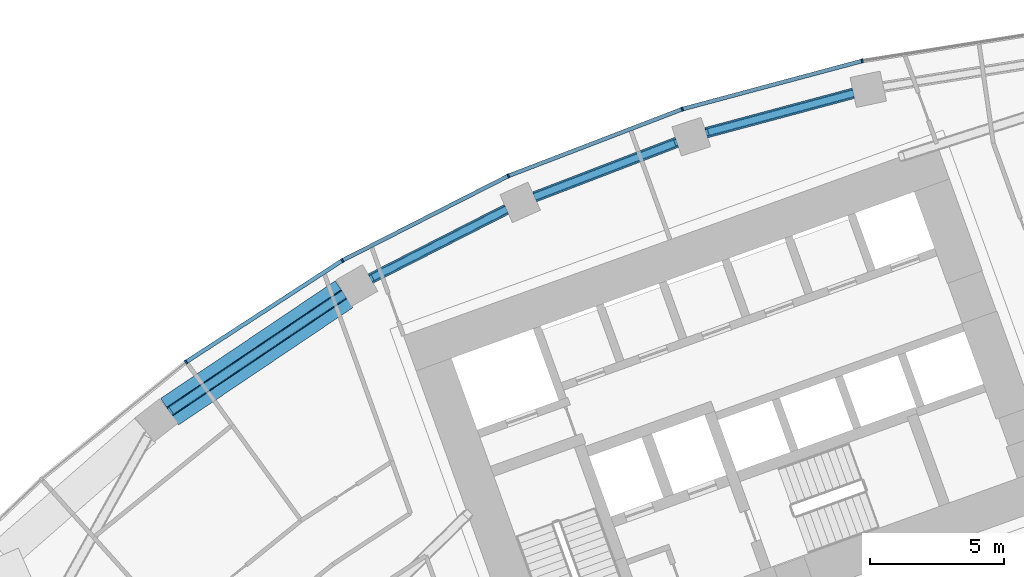
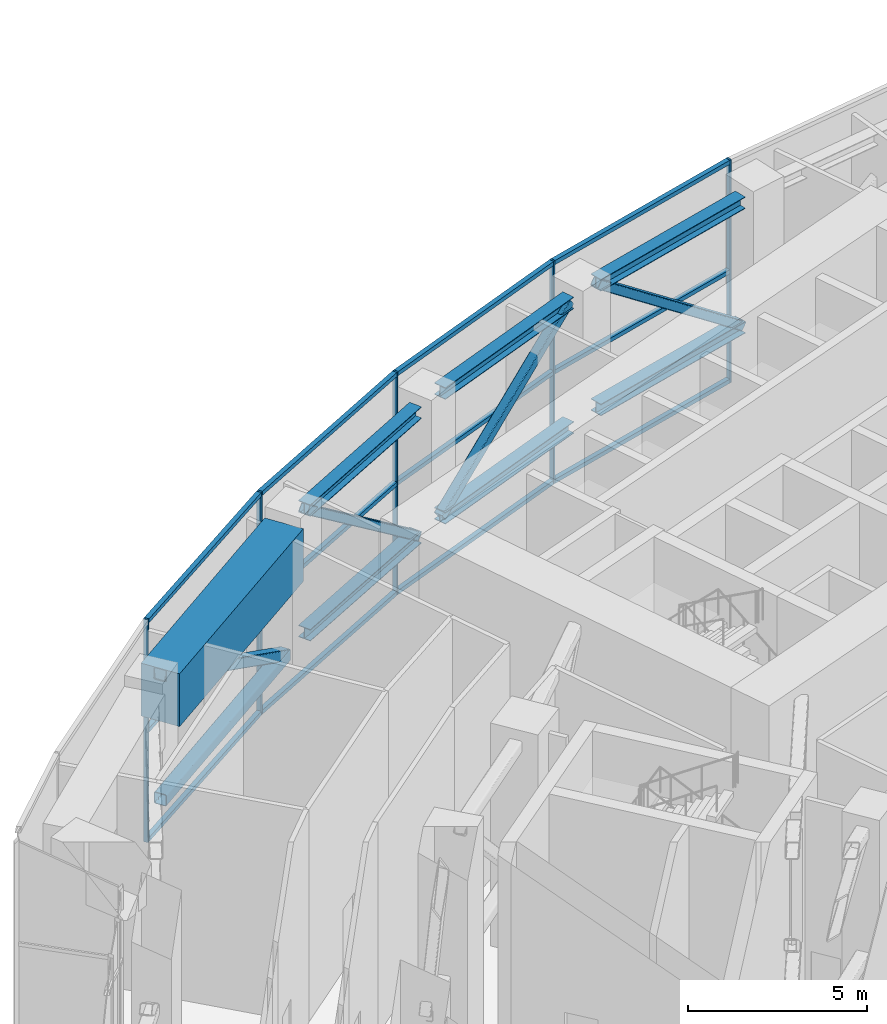
# One storey, part 7 of 30: 29 members, 1 beam, 1 element without a shape of its own.
"""IFC4 building model written with IfcOpenShell, lengths in metres."""

from ifc_helpers import new_model, si_unit, direction, frame, origin, origin_2d, place, context, subcontext, project, spatial, rectangle, hollow_rectangle, i_section, extrude, material, layer, layer_set, material_profile, profile_set, type_object, element, aggregate, save


model = new_model("IFC4")

# Units and contexts
model_context = context("Model", 3, precision=1e-05, world=origin(), true_north=direction((0.0, 1.0)))
body_context = subcontext(model_context, "Body", "Model", "MODEL_VIEW")
ifc_project = project(units=[si_unit("LENGTHUNIT", "METRE"), si_unit("AREAUNIT", "SQUARE_METRE"), si_unit("VOLUMEUNIT", "CUBIC_METRE"), si_unit("PLANEANGLEUNIT", "RADIAN"), si_unit("MASSUNIT", "GRAM", prefix="KILO")], contexts=[model_context])

# Site, building, storey
site_placement = place(None, origin())
site = spatial("IfcSite", under=ifc_project, at=site_placement, CompositionType="ELEMENT")
building_placement = place(site_placement, origin())
building = spatial("IfcBuilding", under=site, at=building_placement, Name="Stone Belt Terrace Tower", CompositionType="ELEMENT")
storey_placement = place(building_placement, frame((0.0, 0.0, 136.39990234375)))
storey = spatial("IfcBuildingStorey", under=building, at=storey_placement, Name="L33", CompositionType="ELEMENT", Elevation=136.39990234375)

# Members
ifc_material_1 = material(Name="Structural steel C345", Category="steel")
ifc_material_profile_1 = material_profile(ifc_material_1, i_section(OverallWidth=0.39990234375, OverallDepth=0.39990234375, WebThickness=0.012939453125, FlangeThickness=0.02099609375, at=origin_2d()), Name="I 40K2")
ifc_profile_set_1 = profile_set([ifc_material_profile_1], Name="Structural steel C345")
member_type_1 = type_object("IfcMemberType", Name="Belt chord I 40K2", PredefinedType="CHORD", material=ifc_profile_set_1)
for number, where, z_axis, x_axis, name in (
    (1, (-32.2314453125, 56.976318359375, 7.050048828125), (0.890993756873, 0.454015556135, 0.0), (-0.454015556135, 0.890993756873, 0.0), "Belt truss T2 ring R top chord 3"),
    (2, (-32.2314453125, 56.976318359375, 2.800048828125), (0.890993756873, 0.454015556135, 0.0), (-0.454015556135, 0.890993756873, 0.0), "Belt truss T2 ring R bot chord 3"),
):
    element("IfcMember", number, at=place(storey_placement, frame(where, z_axis=z_axis, x_axis=x_axis)), inside=storey, type_object=member_type_1, Name=name, PredefinedType="CHORD", context=body_context, shape_type="SweptSolid", body=[
        extrude(i_section(OverallWidth=0.39990234375, OverallDepth=0.39990234375, WebThickness=0.012939453125, FlangeThickness=0.02099609375, at=origin_2d()), origin(), (0.0, 0.0, 1.0), 5.703125),
    ])
for number, where, z_axis, x_axis, name in (
    (3, (-26.09912109375, 60.033447265625, 7.050048828125), (0.933575997296, 0.358379487797, 0.0), (-0.358379487797, 0.933575997296, 0.0), "Belt truss T2 ring R top chord 4"),
    (4, (-26.09912109375, 60.033447265625, 2.800048828125), (0.933575997296, 0.358379487797, 0.0), (-0.358379487797, 0.933575997296, 0.0), "Belt truss T2 ring R bot chord 4"),
):
    element("IfcMember", number, at=place(storey_placement, frame(where, z_axis=z_axis, x_axis=x_axis)), inside=storey, type_object=member_type_1, Name=name, PredefinedType="CHORD", context=body_context, shape_type="SweptSolid", body=[
        extrude(i_section(OverallWidth=0.39990234375, OverallDepth=0.39990234375, WebThickness=0.012939453125, FlangeThickness=0.02099609375, at=origin_2d()), origin(), (0.0, 0.0, 1.0), 5.703369140625),
    ])
for number, where, z_axis, x_axis, name in (
    (5, (-19.680908203125, 62.4326171875, 7.050048828125), (0.965925885985, 0.258818822313, 0.0), (-0.258818822313, 0.965925885985, 0.0), "Belt truss T2 ring R top chord 5"),
    (6, (-19.680908203125, 62.4326171875, 2.800048828125), (0.965925885985, 0.258818822313, 0.0), (-0.258818822313, 0.965925885985, 0.0), "Belt truss T2 ring R bot chord 5"),
):
    element("IfcMember", number, at=place(storey_placement, frame(where, z_axis=z_axis, x_axis=x_axis)), inside=storey, type_object=member_type_1, Name=name, PredefinedType="CHORD", context=body_context, shape_type="SweptSolid", body=[
        extrude(i_section(OverallWidth=0.39990234375, OverallDepth=0.39990234375, WebThickness=0.012939453125, FlangeThickness=0.02099609375, at=origin_2d()), origin(), (0.0, 0.0, 1.0), 5.703125),
    ])
ifc_material_profile_2 = material_profile(ifc_material_1, hollow_rectangle(XDim=0.300048828125, YDim=0.300048828125, WallThickness=0.01611328125, InnerFilletRadius=0.031982421875, OuterFilletRadius=0.048095703125, at=origin_2d()), Name="SHS 300x300x16")
ifc_profile_set_2 = profile_set([ifc_material_profile_2], Name="Structural steel C345")
member_type_2 = type_object("IfcMemberType", Name="Belt diagonal SHS 300x300x16", PredefinedType="BRACE", material=ifc_profile_set_2)
member_1_placement = place(storey_placement, frame((-32.2314453125, 56.976318359375, 7.050048828125), z_axis=(0.714440544086, 0.364050946986, -0.597529595054), x_axis=(-0.454015556135, 0.890993756873, 0.0)))
element("IfcMember", 7, at=member_1_placement, inside=storey, type_object=member_type_2, Name="Belt truss T2 ring R diagonal 3", PredefinedType="BRACE", context=body_context, shape_type="SweptSolid", body=[
    extrude(hollow_rectangle(XDim=0.300048828125, YDim=0.300048828125, WallThickness=0.01611328125, InnerFilletRadius=0.031982421875, OuterFilletRadius=0.048095703125, at=origin_2d()), origin(), (0.0, 0.0, 1.0), 7.112548828125),
])
member_2_placement = place(storey_placement, frame((-26.09912109375, 60.033447265625, 2.800048828125), z_axis=(0.748588171332, 0.287366691292, 0.597525007407), x_axis=(-0.358379487797, 0.933575997296, 0.0)))
element("IfcMember", 8, at=member_2_placement, inside=storey, type_object=member_type_2, Name="Belt truss T2 ring R diagonal 4", PredefinedType="BRACE", context=body_context, shape_type="SweptSolid", body=[
    extrude(hollow_rectangle(XDim=0.300048828125, YDim=0.300048828125, WallThickness=0.01611328125, InnerFilletRadius=0.031982421875, OuterFilletRadius=0.048095703125, at=origin_2d()), origin(), (0.0, 0.0, 1.0), 7.11279296875),
])
member_3_placement = place(storey_placement, frame((-19.680908203125, 62.4326171875, 7.050048828125), z_axis=(0.774519158239, 0.207531591505, -0.597537205576), x_axis=(-0.258818822313, 0.965925885985, 0.0)))
element("IfcMember", 9, at=member_3_placement, inside=storey, type_object=member_type_2, Name="Belt truss T2 ring R diagonal 5", PredefinedType="BRACE", context=body_context, shape_type="SweptSolid", body=[
    extrude(hollow_rectangle(XDim=0.300048828125, YDim=0.300048828125, WallThickness=0.01611328125, InnerFilletRadius=0.031982421875, OuterFilletRadius=0.048095703125, at=origin_2d()), origin(), (0.0, 0.0, 1.0), 7.112548828125),
])

# Curtain wall, members
ifc_material_2 = material(Name="Aluminium 6063-T6 anodised frame", Category="aluminium")
ifc_layer = layer(ifc_material_2, 0.14990234375)
ifc_layer_set = layer_set([ifc_layer], Name="CW-A unitised convex-face curtain wall")
curtain_wall_type = type_object("IfcCurtainWallType", Name="CW-A unitised convex-face curtain wall", PredefinedType="NOTDEFINED", material=ifc_layer_set)
curtain_wall_placement = place(storey_placement, origin())
curtain_wall = element("IfcCurtainWall", 10, at=curtain_wall_placement, inside=storey, type_object=curtain_wall_type, Name="CW-A convex face L33", PredefinedType="NOTDEFINED")
ifc_material_profile_3 = material_profile(ifc_material_2, rectangle(XDim=0.14990234375, YDim=0.06005859375, at=origin_2d()), Name="Aluminium 6063-T6 60x150")
ifc_profile_set_3 = profile_set([ifc_material_profile_3], Name="Aluminium 6063-T6 anodised frame")
member_type_3 = type_object("IfcMemberType", Name="CW-A mullion 60 x 150", PredefinedType="MULLION", material=ifc_profile_set_3)
member_4_placement = place(storey_placement, frame((-13.841796875, 65.120361328125, 0.0), z_axis=(0.0, 0.0, 1.0), x_axis=(0.207911690818, -0.978147600734, 0.0)))
member_4 = element("IfcMember", 11, at=member_4_placement, type_object=member_type_3, Name="CW-A mullion 12", PredefinedType="MULLION", context=body_context, shape_type="SweptSolid", body=[
    extrude(rectangle(XDim=0.14990234375, YDim=0.06005859375, at=origin_2d()), origin(), (0.0, 0.0, 1.0), 7.60009765625),
])
member_5_placement = place(storey_placement, frame((-20.57275390625, 63.316650390625, 0.0), z_axis=(0.0, 0.0, 1.0), x_axis=(0.309016994375, -0.951056516295, 0.0)))
member_5 = element("IfcMember", 12, at=member_5_placement, type_object=member_type_3, Name="CW-A mullion 13", PredefinedType="MULLION", context=body_context, shape_type="SweptSolid", body=[
    extrude(rectangle(XDim=0.14990234375, YDim=0.06005859375, at=origin_2d()), origin(), (0.0, 0.0, 1.0), 7.60009765625),
])
member_6_placement = place(storey_placement, frame((-27.07861328125, 60.8193359375, 0.0), z_axis=(0.0, 0.0, 1.0), x_axis=(0.406736643076, -0.913545457643, 0.0)))
member_6 = element("IfcMember", 13, at=member_6_placement, type_object=member_type_3, Name="CW-A mullion 14", PredefinedType="MULLION", context=body_context, shape_type="SweptSolid", body=[
    extrude(rectangle(XDim=0.14990234375, YDim=0.06005859375, at=origin_2d()), origin(), (0.0, 0.0, 1.0), 7.60009765625),
])
member_7_placement = place(storey_placement, frame((-33.28759765625, 57.65576171875, 0.0), z_axis=(0.0, 0.0, 1.0), x_axis=(0.5, -0.866025403784, 0.0)))
member_7 = element("IfcMember", 14, at=member_7_placement, type_object=member_type_3, Name="CW-A mullion 15", PredefinedType="MULLION", context=body_context, shape_type="SweptSolid", body=[
    extrude(rectangle(XDim=0.14990234375, YDim=0.06005859375, at=origin_2d()), origin(), (0.0, 0.0, 1.0), 7.60009765625),
])
member_8_placement = place(storey_placement, frame((-39.1318359375, 53.8603515625, 0.0), z_axis=(0.0, 0.0, 1.0), x_axis=(0.587785252292, -0.809016994375, 0.0)))
member_8 = element("IfcMember", 15, at=member_8_placement, type_object=member_type_3, Name="CW-A mullion 16", PredefinedType="MULLION", context=body_context, shape_type="SweptSolid", body=[
    extrude(rectangle(XDim=0.14990234375, YDim=0.06005859375, at=origin_2d()), origin(), (0.0, 0.0, 1.0), 7.60009765625),
])
ifc_material_profile_4 = material_profile(ifc_material_2, rectangle(XDim=0.14990234375, YDim=0.139892578125, at=origin_2d()), Name="Aluminium 6063-T6 150x140")
ifc_profile_set_4 = profile_set([ifc_material_profile_4], Name="Aluminium 6063-T6 anodised frame")
member_type_4 = type_object("IfcMemberType", Name="CW-A transom 140 x 150", PredefinedType="USERDEFINED", material=ifc_profile_set_4)
member_9_placement = place(storey_placement, frame((-13.87451171875, 65.111572265625, 0.070068359375), z_axis=(-0.965921835863, -0.258833937117, 0.0), x_axis=(0.258833937117, -0.965921835863, 0.0)))
member_9 = element("IfcMember", 16, at=member_9_placement, type_object=member_type_4, Name="CW-A transom 12.1", ObjectType="TRANSOM", PredefinedType="USERDEFINED", context=body_context, shape_type="SweptSolid", body=[
    extrude(rectangle(XDim=0.14990234375, YDim=0.139892578125, at=origin_2d()), origin(), (0.0, 0.0, 1.0), 6.900634765625),
])
member_10_placement = place(storey_placement, frame((-13.87451171875, 65.111572265625, 3.800048828125), z_axis=(-0.965921835863, -0.258833937117, 0.0), x_axis=(0.258833937117, -0.965921835863, 0.0)))
member_10 = element("IfcMember", 17, at=member_10_placement, type_object=member_type_4, Name="CW-A transom 12.2", ObjectType="TRANSOM", PredefinedType="USERDEFINED", context=body_context, shape_type="SweptSolid", body=[
    extrude(rectangle(XDim=0.14990234375, YDim=0.139892578125, at=origin_2d()), origin(), (0.0, 0.0, 1.0), 6.900634765625),
])
member_11_placement = place(storey_placement, frame((-13.87451171875, 65.111572265625, 7.530029296875), z_axis=(-0.965921835863, -0.258833937117, 0.0), x_axis=(0.258833937117, -0.965921835863, 0.0)))
member_11 = element("IfcMember", 18, at=member_11_placement, type_object=member_type_4, Name="CW-A transom 12.3", ObjectType="TRANSOM", PredefinedType="USERDEFINED", context=body_context, shape_type="SweptSolid", body=[
    extrude(rectangle(XDim=0.14990234375, YDim=0.139892578125, at=origin_2d()), origin(), (0.0, 0.0, 1.0), 6.900634765625),
])
member_12_placement = place(storey_placement, frame((-20.6044921875, 63.304443359375, 0.070068359375), z_axis=(-0.933585210269, -0.358355487146, 0.0), x_axis=(0.358355487146, -0.933585210269, 0.0)))
member_12 = element("IfcMember", 19, at=member_12_placement, type_object=member_type_4, Name="CW-A transom 13.1", ObjectType="TRANSOM", PredefinedType="USERDEFINED", context=body_context, shape_type="SweptSolid", body=[
    extrude(rectangle(XDim=0.14990234375, YDim=0.139892578125, at=origin_2d()), origin(), (0.0, 0.0, 1.0), 6.900634765625),
])
member_13_placement = place(storey_placement, frame((-20.6044921875, 63.304443359375, 3.800048828125), z_axis=(-0.933585210269, -0.358355487146, 0.0), x_axis=(0.358355487146, -0.933585210269, 0.0)))
member_13 = element("IfcMember", 20, at=member_13_placement, type_object=member_type_4, Name="CW-A transom 13.2", ObjectType="TRANSOM", PredefinedType="USERDEFINED", context=body_context, shape_type="SweptSolid", body=[
    extrude(rectangle(XDim=0.14990234375, YDim=0.139892578125, at=origin_2d()), origin(), (0.0, 0.0, 1.0), 6.900634765625),
])
member_14_placement = place(storey_placement, frame((-20.6044921875, 63.304443359375, 7.530029296875), z_axis=(-0.933585210269, -0.358355487146, 0.0), x_axis=(0.358355487146, -0.933585210269, 0.0)))
member_14 = element("IfcMember", 21, at=member_14_placement, type_object=member_type_4, Name="CW-A transom 13.3", ObjectType="TRANSOM", PredefinedType="USERDEFINED", context=body_context, shape_type="SweptSolid", body=[
    extrude(rectangle(XDim=0.14990234375, YDim=0.139892578125, at=origin_2d()), origin(), (0.0, 0.0, 1.0), 6.900634765625),
])
member_15_placement = place(storey_placement, frame((-27.108642578125, 60.803955078125, 0.070068359375), z_axis=(-0.891012226264, -0.453979308613, 0.0), x_axis=(0.453979308613, -0.891012226264, 0.0)))
member_15 = element("IfcMember", 22, at=member_15_placement, type_object=member_type_4, Name="CW-A transom 14.1", ObjectType="TRANSOM", PredefinedType="USERDEFINED", context=body_context, shape_type="SweptSolid", body=[
    extrude(rectangle(XDim=0.14990234375, YDim=0.139892578125, at=origin_2d()), origin(), (0.0, 0.0, 1.0), 6.90087890625),
])
member_16_placement = place(storey_placement, frame((-27.108642578125, 60.803955078125, 3.800048828125), z_axis=(-0.891012226264, -0.453979308613, 0.0), x_axis=(0.453979308613, -0.891012226264, 0.0)))
member_16 = element("IfcMember", 23, at=member_16_placement, type_object=member_type_4, Name="CW-A transom 14.2", ObjectType="TRANSOM", PredefinedType="USERDEFINED", context=body_context, shape_type="SweptSolid", body=[
    extrude(rectangle(XDim=0.14990234375, YDim=0.139892578125, at=origin_2d()), origin(), (0.0, 0.0, 1.0), 6.90087890625),
])
member_17_placement = place(storey_placement, frame((-27.108642578125, 60.803955078125, 7.530029296875), z_axis=(-0.891012226264, -0.453979308613, 0.0), x_axis=(0.453979308613, -0.891012226264, 0.0)))
member_17 = element("IfcMember", 24, at=member_17_placement, type_object=member_type_4, Name="CW-A transom 14.3", ObjectType="TRANSOM", PredefinedType="USERDEFINED", context=body_context, shape_type="SweptSolid", body=[
    extrude(rectangle(XDim=0.14990234375, YDim=0.139892578125, at=origin_2d()), origin(), (0.0, 0.0, 1.0), 6.90087890625),
])
member_18_placement = place(storey_placement, frame((-33.31591796875, 57.63720703125, 0.070068359375), z_axis=(-0.83868440714, -0.544617723931, 0.0), x_axis=(0.544617723931, -0.83868440714, 0.0)))
member_18 = element("IfcMember", 25, at=member_18_placement, type_object=member_type_4, Name="CW-A transom 15.1", ObjectType="TRANSOM", PredefinedType="USERDEFINED", context=body_context, shape_type="SweptSolid", body=[
    extrude(rectangle(XDim=0.14990234375, YDim=0.139892578125, at=origin_2d()), origin(), (0.0, 0.0, 1.0), 6.90087890625),
])
member_19_placement = place(storey_placement, frame((-33.31591796875, 57.63720703125, 3.800048828125), z_axis=(-0.83868440714, -0.544617723931, 0.0), x_axis=(0.544617723931, -0.83868440714, 0.0)))
member_19 = element("IfcMember", 26, at=member_19_placement, type_object=member_type_4, Name="CW-A transom 15.2", ObjectType="TRANSOM", PredefinedType="USERDEFINED", context=body_context, shape_type="SweptSolid", body=[
    extrude(rectangle(XDim=0.14990234375, YDim=0.139892578125, at=origin_2d()), origin(), (0.0, 0.0, 1.0), 6.90087890625),
])
member_20_placement = place(storey_placement, frame((-33.31591796875, 57.63720703125, 7.530029296875), z_axis=(-0.83868440714, -0.544617723931, 0.0), x_axis=(0.544617723931, -0.83868440714, 0.0)))
member_20 = element("IfcMember", 27, at=member_20_placement, type_object=member_type_4, Name="CW-A transom 15.3", ObjectType="TRANSOM", PredefinedType="USERDEFINED", context=body_context, shape_type="SweptSolid", body=[
    extrude(rectangle(XDim=0.14990234375, YDim=0.139892578125, at=origin_2d()), origin(), (0.0, 0.0, 1.0), 6.90087890625),
])
aggregate(curtain_wall, [member_4, member_5, member_6, member_7, member_8, member_9, member_10, member_11, member_12, member_13, member_14, member_15, member_16, member_17, member_18, member_19, member_20])

# Members
ifc_material_profile_5 = material_profile(ifc_material_1, hollow_rectangle(XDim=0.39990234375, YDim=0.39990234375, WallThickness=0.02001953125, InnerFilletRadius=0.0400390625, OuterFilletRadius=0.06005859375, at=origin_2d()), Name="SHS 400x400x20")
ifc_profile_set_5 = profile_set([ifc_material_profile_5], Name="Structural steel C345")
member_type_5 = type_object("IfcMemberType", Name="Outrigger chord SHS 400x400x20", PredefinedType="CHORD", material=ifc_profile_set_5)
for number, where, z_axis, x_axis, name in (
    (28, (-39.7529296875, 51.996337890625, 7.050048828125), (0.829517849563, 0.558480203102, 0.0), (-0.558480203102, 0.829517849563, 0.0), "Outrigger T2 Rw top chord 3"),
    (29, (-39.7529296875, 51.996337890625, 2.800048828125), (0.829517849563, 0.558480203102, 0.0), (-0.558480203102, 0.829517849563, 0.0), "Outrigger T2 Rw bot chord 3"),
):
    element("IfcMember", number, at=place(storey_placement, frame(where, z_axis=z_axis, x_axis=x_axis)), inside=storey, type_object=member_type_5, Name=name, PredefinedType="CHORD", context=body_context, shape_type="SweptSolid", body=[
        extrude(hollow_rectangle(XDim=0.39990234375, YDim=0.39990234375, WallThickness=0.02001953125, InnerFilletRadius=0.0400390625, OuterFilletRadius=0.06005859375, at=origin_2d()), origin(), (0.0, 0.0, 1.0), 7.87255859375),
    ])
ifc_material_profile_6 = material_profile(ifc_material_1, hollow_rectangle(XDim=0.35009765625, YDim=0.35009765625, WallThickness=0.01611328125, InnerFilletRadius=0.031982421875, OuterFilletRadius=0.048095703125, at=origin_2d()), Name="SHS 350x350x16")
ifc_profile_set_6 = profile_set([ifc_material_profile_6], Name="Structural steel C345")
member_type_6 = type_object("IfcMemberType", Name="Outrigger diagonal SHS 350x350x16", PredefinedType="BRACE", material=ifc_profile_set_6)
member_21_placement = place(storey_placement, frame((-39.7529296875, 51.996337890625, 7.050048828125), z_axis=(0.729945297208, 0.491442104655, -0.47504159908), x_axis=(-0.558480203102, 0.829517849563, 0.0)))
element("IfcMember", 30, at=member_21_placement, inside=storey, type_object=member_type_6, Name="Outrigger T2 Rw diagonal 3", PredefinedType="BRACE", context=body_context, shape_type="SweptSolid", body=[
    extrude(hollow_rectangle(XDim=0.35009765625, YDim=0.35009765625, WallThickness=0.01611328125, InnerFilletRadius=0.031982421875, OuterFilletRadius=0.048095703125, at=origin_2d()), origin(), (0.0, 0.0, 1.0), 8.946533203125),
])

# Beam
ifc_material_3 = material(Name="Concrete B80", Category="concrete")
ifc_material_profile_7 = material_profile(ifc_material_3, rectangle(XDim=1.199951171875, YDim=1.800048828125, at=origin_2d()), Name="RC 1200x1800")
ifc_profile_set_7 = profile_set([ifc_material_profile_7], Name="Concrete B80")
beam_type = type_object("IfcBeamType", Name="Transfer girder RC 1200x1800 B80", PredefinedType="BEAM", material=ifc_profile_set_7)
beam_placement = place(storey_placement, frame((-39.7529296875, 51.996337890625, 6.35009765625), z_axis=(0.829517849563, 0.558480203102, 0.0), x_axis=(-0.558480203102, 0.829517849563, 0.0)))
element("IfcBeam", 31, at=beam_placement, inside=storey, type_object=beam_type, Name="Transfer beam L33 RRNA-R17", PredefinedType="BEAM", context=body_context, shape_type="SweptSolid", body=[
    extrude(rectangle(XDim=1.199951171875, YDim=1.800048828125, at=origin_2d()), origin(), (0.0, 0.0, 1.0), 7.87255859375),
])

save(model, "model.ifc")
